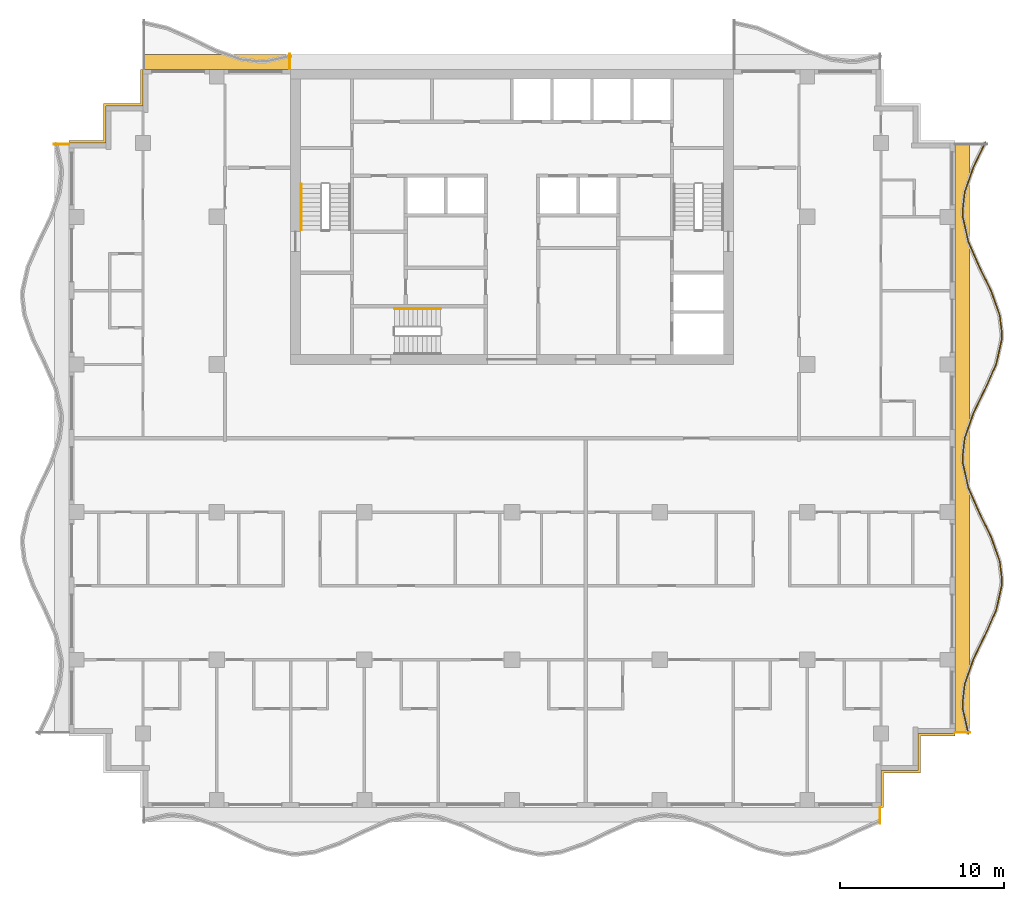
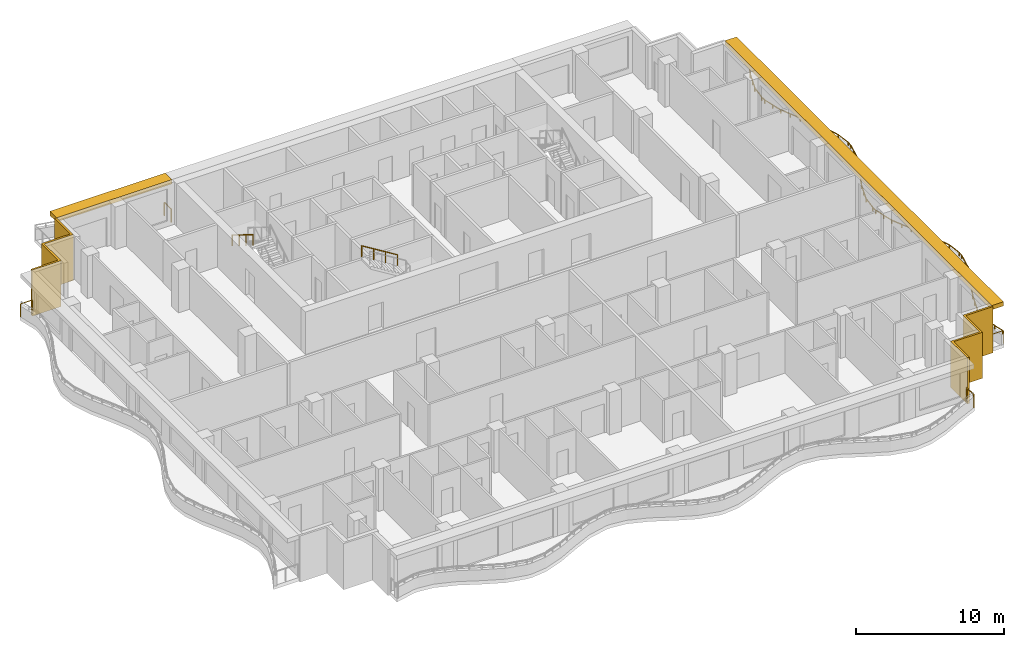
# One storey, part 10 of 11: 7 railings, 4 shading devices.
"""IFC4 building model written with IfcOpenShell, lengths in metres."""

import ifcopenshell
import ifcopenshell.guid

model = None  # the IFC model being written
_history = None  # IfcOwnerHistory: only IFC2X3 demands one
_inside = {}  # id of a spatial element -> (the spatial element, [elements in it])
_under = {}  # id of a project, library or spatial element -> (it, [spatial elements below it])
_declared = {}  # id of a project -> (the project, [libraries it declares])
_typed = {}  # id of a type object -> (the type object, [elements of that type])
_made_of = {}  # id of a material, layer set ... -> (it, [elements and type objects made of it])


def new_model(schema):
    """Start an empty IFC model of exactly this schema.

    Asked for "IFC4X3", IfcOpenShell would pick the latest addendum, in which some entities
    have other attributes; the version numbers below select the first issue.
    IFC2X3 requires an IfcOwnerHistory on every rooted entity: one is made here for all.
    """
    global model, _history
    if schema == "IFC4X3":
        model = ifcopenshell.file(schema_version=(4, 3, 0, 0))
    else:
        model = ifcopenshell.file(schema=schema)
    _inside.clear()
    _under.clear()
    _declared.clear()
    _typed.clear()
    _made_of.clear()
    _history = None
    if model.schema == "IFC2X3":
        org = make("IfcOrganization", Name="unknown")
        user = make(
            "IfcPersonAndOrganization",
            ThePerson=make("IfcPerson", FamilyName="unknown"),
            TheOrganization=org,
        )
        app = make(
            "IfcApplication",
            ApplicationDeveloper=org,
            Version="unknown",
            ApplicationFullName="unknown",
            ApplicationIdentifier="unknown",
        )
        _history = make(
            "IfcOwnerHistory",
            OwningUser=user,
            OwningApplication=app,
            ChangeAction="ADDED",
            CreationDate=0,
        )
    return model


def make(cls, **values):
    """One entity of the class cls with the attributes given. An attribute that is None is left unset."""
    return model.create_entity(
        cls, **{name: value for name, value in values.items() if value is not None}
    )


def rooted(cls, **values):
    """An entity with a GlobalId (a new one), such as an element, a storey or a relation."""
    return make(cls, GlobalId=ifcopenshell.guid.new(), OwnerHistory=_history, **values)


def si_unit(unit_type, name, prefix=None):
    """IfcSIUnit, for example si_unit("LENGTHUNIT", "METRE", prefix="MILLI")."""
    return make("IfcSIUnit", UnitType=unit_type, Prefix=prefix, Name=name)


def assignment(units):
    """IfcUnitAssignment: the units of a project."""
    return None if units is None else make("IfcUnitAssignment", Units=units)


def point(xyz):
    """IfcCartesianPoint."""
    return None if xyz is None else make("IfcCartesianPoint", Coordinates=xyz)


def direction(xyz):
    """IfcDirection."""
    return None if xyz is None else make("IfcDirection", DirectionRatios=xyz)


def frame(location, z_axis=None, x_axis=None):
    """IfcAxis2Placement3D, a coordinate frame: its origin and axes. An axis left out is left unset."""
    return make(
        "IfcAxis2Placement3D",
        Location=point(location),
        Axis=direction(z_axis),
        RefDirection=direction(x_axis),
    )


def frame_2d(location, x_axis=None):
    """IfcAxis2Placement2D, a coordinate frame in the plane: its origin and x axis."""
    return make(
        "IfcAxis2Placement2D", Location=point(location), RefDirection=direction(x_axis)
    )


def origin():
    """The frame at (0, 0, 0) with its axes left unset."""
    return frame((0.0, 0.0, 0.0))


def origin_2d():
    """The frame at (0, 0) in the plane with its x axis left unset."""
    return frame_2d((0.0, 0.0))


def place(relative_to, where):
    """IfcLocalPlacement: puts the frame where relative to a parent placement (None: the world)."""
    return make(
        "IfcLocalPlacement", PlacementRelTo=relative_to, RelativePlacement=where
    )


def context(
    kind, dimensions, precision=None, world=None, true_north=None, identifier=None
):
    """IfcGeometricRepresentationContext, for example the 3D "Model" context."""
    return make(
        "IfcGeometricRepresentationContext",
        ContextIdentifier=identifier,
        ContextType=kind,
        CoordinateSpaceDimension=dimensions,
        Precision=precision,
        WorldCoordinateSystem=world,
        TrueNorth=true_north,
    )


def subcontext(parent, identifier, kind, view, scale=None):
    """IfcGeometricRepresentationSubContext, for example "Body" below "Model"."""
    return make(
        "IfcGeometricRepresentationSubContext",
        ContextIdentifier=identifier,
        ContextType=kind,
        ParentContext=parent,
        TargetScale=scale,
        TargetView=view,
    )


def project(units=None, contexts=None):
    """IfcProject with its units and contexts."""
    return rooted(
        "IfcProject",
        Name="project",
        RepresentationContexts=contexts,
        UnitsInContext=assignment(units),
    )


def spatial(cls, under=None, at=None, **own):
    """A site, building, storey or space (cls), placed at a placement, below another one or the project."""
    s = rooted(cls, ObjectPlacement=at, **own)
    if under is not None:
        _under.setdefault(under.id(), (under, []))[1].append(s)
    return s


def polyline(points):
    """IfcPolyline through the points."""
    return make("IfcPolyline", Points=[point(p) for p in points])


def profile(cls, at=None, kind="AREA", **sizes):
    """A parametric profile (cls). Its sizes go by their IFC names, for example OverallWidth=200.0."""
    return make(cls, ProfileType=kind, Position=at, **sizes)


def rectangle(**sizes):
    """IfcRectangleProfileDef."""
    return profile("IfcRectangleProfileDef", **sizes)


def circle(**sizes):
    """IfcCircleProfileDef."""
    return profile("IfcCircleProfileDef", **sizes)


def outline(outer, holes=None, kind="AREA"):
    """IfcArbitraryClosedProfileDef: a profile drawn as a closed curve; with holes, ...WithVoids."""
    if holes is None:
        return make("IfcArbitraryClosedProfileDef", ProfileType=kind, OuterCurve=outer)
    return make(
        "IfcArbitraryProfileDefWithVoids",
        ProfileType=kind,
        OuterCurve=outer,
        InnerCurves=holes,
    )


def extrude(swept, where, along, depth):
    """IfcExtrudedAreaSolid: the profile swept, set in the frame where, extruded along a direction by depth."""
    return make(
        "IfcExtrudedAreaSolid",
        SweptArea=swept,
        Position=where,
        ExtrudedDirection=direction(along),
        Depth=depth,
    )


def shape(context_of_items, identifier, shape_type, items):
    """IfcShapeRepresentation: the items that make up one representation, for example the "Body"."""
    return make(
        "IfcShapeRepresentation",
        ContextOfItems=context_of_items,
        RepresentationIdentifier=identifier,
        RepresentationType=shape_type,
        Items=items,
    )


def material(Name=None, Category=None):
    """IfcMaterial."""
    return make("IfcMaterial", Name=Name, Category=Category)


def layer(
    of_material, thickness, ventilated=None, Name=None, Category=None, Priority=None
):
    """IfcMaterialLayer: one layer of a wall or slab, of a material (None: an air gap)."""
    return make(
        "IfcMaterialLayer",
        Material=of_material,
        LayerThickness=thickness,
        IsVentilated=ventilated,
        Name=Name,
        Category=Category,
        Priority=Priority,
    )


def layer_set(layers, Name=None):
    """IfcMaterialLayerSet."""
    return make("IfcMaterialLayerSet", MaterialLayers=layers, LayerSetName=Name)


def made_of(thing, what):
    """Note that an element or type object is made of a material, layer set ...; save() writes the relation."""
    if what is not None:
        _made_of.setdefault(what.id(), (what, []))[1].append(thing)
    return thing


def type_object(cls, material=None, **own):
    """A type object (cls), such as IfcWallType, which elements share."""
    return made_of(rooted(cls, **own), material)


def element(
    cls,
    number,
    at=None,
    inside=None,
    cuts=None,
    type_object=None,
    material=None,
    context=None,
    identifier="Body",
    shape_type=None,
    held_by="IfcProductDefinitionShape",
    body=None,
    shapes=None,
    **own,
):
    """One element of the class cls, such as IfcWall. Its Tag is "e" and its number.

    at: its placement. inside: the storey or other place that contains it. cuts: it is an
    opening in that element (IfcRelVoidsElement). A single representation is given by context,
    identifier, shape_type and body (its items); several are given by shapes. held_by: the class
    of the entity that holds the representations. save() writes the other relations.
    """
    e = rooted(cls, Tag="e%d" % number, ObjectPlacement=at, **own)
    if body is not None:
        shapes = [shape(context, identifier, shape_type, body)]
    if shapes is not None:
        e.Representation = make(held_by, Representations=shapes)
    if inside is not None:
        _inside.setdefault(inside.id(), (inside, []))[1].append(e)
    if cuts is not None:
        rooted(
            "IfcRelVoidsElement", RelatingBuildingElement=cuts, RelatedOpeningElement=e
        )
    if type_object is not None:
        _typed.setdefault(type_object.id(), (type_object, []))[1].append(e)
    return made_of(e, material)


def aggregate(whole, parts):
    """IfcRelAggregates: a whole, such as a stair, and the parts it consists of."""
    return rooted("IfcRelAggregates", RelatingObject=whole, RelatedObjects=parts)


def save(model, path):
    """Write the relations noted so far, then the file.

    IfcRelAggregates (storeys below a building ...), IfcRelContainedInSpatialStructure (elements
    in a storey), IfcRelDefinesByType, IfcRelAssociatesMaterial and IfcRelDeclares: one each for
    every whole, place, type object, material and project.
    """
    for whole, parts in _under.values():
        aggregate(whole, parts)
    for where, things in _inside.values():
        rooted(
            "IfcRelContainedInSpatialStructure",
            RelatedElements=things,
            RelatingStructure=where,
        )
    for kind, things in _typed.values():
        rooted("IfcRelDefinesByType", RelatedObjects=things, RelatingType=kind)
    for what, things in _made_of.values():
        rooted("IfcRelAssociatesMaterial", RelatedObjects=things, RelatingMaterial=what)
    for by, libraries in _declared.values():
        rooted("IfcRelDeclares", RelatingContext=by, RelatedDefinitions=libraries)
    model.write(path)


model = new_model("IFC4")

# Units and contexts
model_context = context("Model", 3, precision=1e-05, world=origin(), true_north=direction((0.0, 1.0)))
body_context = subcontext(model_context, "Body", "Model", "MODEL_VIEW")
ifc_project = project(units=[si_unit("LENGTHUNIT", "METRE"), si_unit("AREAUNIT", "SQUARE_METRE"), si_unit("VOLUMEUNIT", "CUBIC_METRE"), si_unit("PLANEANGLEUNIT", "RADIAN"), si_unit("MASSUNIT", "GRAM", prefix="KILO")], contexts=[model_context])

# Site, building, storey
site_placement = place(None, origin())
site = spatial("IfcSite", under=ifc_project, at=site_placement, CompositionType="ELEMENT")
building_placement = place(site_placement, origin())
building = spatial("IfcBuilding", under=site, at=building_placement, Name="Orbiselva Terraces", CompositionType="ELEMENT")
storey_placement = place(building_placement, frame((0.0, 0.0, 261.6)))
storey = spatial("IfcBuildingStorey", under=building, at=storey_placement, Name="L66", CompositionType="ELEMENT", Elevation=261.6)

# Railings
ifc_material_1 = material(Name="Stainless steel", Category="steel")
railing_type_1 = type_object("IfcRailingType", Name="CORE-HANDRAIL-900", PredefinedType="HANDRAIL", material=ifc_material_1)
railing_1_placement = place(storey_placement, frame((-12.85, 15.5, 2.072727)))
element("IfcRailing", 1, at=railing_1_placement, inside=storey, type_object=railing_type_1, Name="L66 S1 stair handrail 2", PredefinedType="HANDRAIL", context=body_context, shape_type="SweptSolid", body=[
    extrude(circle(Radius=0.024, at=origin_2d()), frame((0.0, 0.0, 0.876), z_axis=(0.0, -0.851088519012, 0.52502222125), x_axis=(1.0, 0.0, 0.0)), (0.0, 0.0, 1.0), 3.289905),
    extrude(circle(Radius=0.021, at=origin_2d()), origin(), (0.0, 0.0, 1.0), 0.852),
    extrude(circle(Radius=0.021, at=origin_2d()), frame((0.0, -0.933333, 0.575758)), (0.0, 0.0, 1.0), 0.852),
    extrude(circle(Radius=0.021, at=origin_2d()), frame((0.0, -1.866667, 1.151515)), (0.0, 0.0, 1.0), 0.852),
    extrude(circle(Radius=0.021, at=origin_2d()), frame((0.0, -2.8, 1.727273)), (0.0, 0.0, 1.0), 0.852),
])
railing_2_placement = place(storey_placement, frame((-4.35, 7.9, 2.072727)))
element("IfcRailing", 2, at=railing_2_placement, inside=storey, type_object=railing_type_1, Name="L66 S3 stair handrail 2", PredefinedType="HANDRAIL", context=body_context, shape_type="SweptSolid", body=[
    extrude(circle(Radius=0.024, at=origin_2d()), frame((0.0, 0.0, 0.876), z_axis=(-0.851088519012, 0.0, 0.52502222125), x_axis=(0.0, -1.0, 0.0)), (0.0, 0.0, 1.0), 3.289905),
    extrude(circle(Radius=0.021, at=origin_2d()), origin(), (0.0, 0.0, 1.0), 0.852),
    extrude(circle(Radius=0.021, at=origin_2d()), frame((-0.933333, 0.0, 0.575758)), (0.0, 0.0, 1.0), 0.852),
    extrude(circle(Radius=0.021, at=origin_2d()), frame((-1.866667, 0.0, 1.151515)), (0.0, 0.0, 1.0), 0.852),
    extrude(circle(Radius=0.021, at=origin_2d()), frame((-2.8, 0.0, 1.727273)), (0.0, 0.0, 1.0), 0.852),
])
ifc_material_2 = material(Name="Bonded two-ply safety glass balustrade, stainless steel posts", Category="steel")
railing_type_2 = type_object("IfcRailingType", Name="ENV-BALUSTRADE-1200", PredefinedType="BALUSTRADE", material=ifc_material_2)
railing_3_placement = place(storey_placement, frame((27.829507, -18.027377, 0.9)))
element("IfcRailing", 3, at=railing_3_placement, inside=storey, type_object=railing_type_2, Name="Balcony balustrade L66 E", PredefinedType="BALUSTRADE", context=body_context, shape_type="SweptSolid", body=[
    extrude(outline(polyline([(0.028868, 0.0), (0.014434, 0.025), (-0.014434, 0.025), (-0.028868, 0.0), (-0.014434, -0.025), (0.014434, -0.025), (0.028868, 0.0)])), frame((0.0, 0.0, 0.275), z_axis=(-0.219015484484, 0.97572138316, 0.0), x_axis=(-0.97572138316, -0.219015484484, 0.0)), (0.0, 0.0, 1.0), 1.548694),
    extrude(outline(polyline([(0.028868, 0.0), (0.014434, 0.025), (-0.014434, 0.025), (-0.028868, 0.0), (-0.014434, -0.025), (0.014434, -0.025), (0.028868, 0.0)])), frame((-0.339188, 1.511094, 0.275), z_axis=(-0.03936915532, 0.999224734286, 0.0), x_axis=(-0.999224734286, -0.03936915532, 0.0)), (0.0, 0.0, 1.0), 0.396376),
    extrude(outline(polyline([(0.028868, 0.0), (0.014434, 0.025), (-0.014434, 0.025), (-0.028868, 0.0), (-0.014434, -0.025), (0.014434, -0.025), (0.028868, 0.0)])), frame((-0.354793, 1.907163, 0.275), z_axis=(0.115482182324, 0.993309551734, 0.0), x_axis=(-0.993309551734, 0.115482182324, 0.0)), (0.0, 0.0, 1.0), 1.156135),
    extrude(outline(polyline([(0.028868, 0.0), (0.014434, 0.025), (-0.014434, 0.025), (-0.028868, 0.0), (-0.014434, -0.025), (0.014434, -0.025), (0.028868, 0.0)])), frame((-0.22128, 3.055563, 0.275), z_axis=(0.330024597479, 0.943972332783, 0.0), x_axis=(-0.943972332783, 0.330024597479, 0.0)), (0.0, 0.0, 1.0), 1.610253),
    extrude(outline(polyline([(0.028868, 0.0), (0.014434, 0.025), (-0.014434, 0.025), (-0.028868, 0.0), (-0.014434, -0.025), (0.014434, -0.025), (0.028868, 0.0)])), frame((0.310143, 4.575597, 0.275), z_axis=(0.438812048596, 0.898578870221, 0.0), x_axis=(-0.898578870221, 0.438812048596, 0.0)), (0.0, 0.0, 1.0), 1.674225),
    extrude(outline(polyline([(0.028868, 0.0), (0.014434, 0.025), (-0.014434, 0.025), (-0.028868, 0.0), (-0.014434, -0.025), (0.014434, -0.025), (0.028868, 0.0)])), frame((1.044813, 6.08002, 0.275), z_axis=(0.403151245402, 0.915133363686, 0.0), x_axis=(-0.915133363686, 0.403151245402, 0.0)), (0.0, 0.0, 1.0), 1.624475),
    extrude(outline(polyline([(0.028868, 0.0), (0.014434, 0.025), (-0.014434, 0.025), (-0.028868, 0.0), (-0.014434, -0.025), (0.014434, -0.025), (0.028868, 0.0)])), frame((1.699722, 7.566631, 0.275), z_axis=(0.219015740235, 0.975721325753, 0.0), x_axis=(-0.975721325753, 0.219015740235, 0.0)), (0.0, 0.0, 1.0), 1.513782),
    extrude(outline(polyline([(0.028868, 0.0), (0.014434, 0.025), (-0.014434, 0.025), (-0.028868, 0.0), (-0.014434, -0.025), (0.014434, -0.025), (0.028868, 0.0)])), frame((2.031264, 9.04366, 0.275), z_axis=(0.039364150694, 0.999224931454, 0.0), x_axis=(-0.999224931454, 0.039364150694, 0.0)), (0.0, 0.0, 1.0), 0.354206),
    extrude(outline(polyline([(0.028868, 0.0), (0.014434, 0.025), (-0.014434, 0.025), (-0.028868, 0.0), (-0.014434, -0.025), (0.014434, -0.025), (0.028868, 0.0)])), frame((2.045207, 9.397591, 0.275), z_axis=(-0.115481264762, 0.993309658409, 0.0), x_axis=(-0.993309658409, -0.115481264762, 0.0)), (0.0, 0.0, 1.0), 1.10902),
    extrude(outline(polyline([(0.028868, 0.0), (0.014434, 0.025), (-0.014434, 0.025), (-0.028868, 0.0), (-0.014434, -0.025), (0.014434, -0.025), (0.028868, 0.0)])), frame((1.917136, 10.499191, 0.275), z_axis=(-0.330024754707, 0.943972277814, 0.0), x_axis=(-0.943972277814, -0.330024754707, 0.0)), (0.0, 0.0, 1.0), 1.567807),
    extrude(outline(polyline([(0.028868, 0.0), (0.014434, 0.025), (-0.014434, 0.025), (-0.028868, 0.0), (-0.014434, -0.025), (0.014434, -0.025), (0.028868, 0.0)])), frame((1.399721, 11.979157, 0.275), z_axis=(-0.438811978768, 0.89857890432, 0.0), x_axis=(-0.89857890432, -0.438811978768, 0.0)), (0.0, 0.0, 1.0), 1.66438),
    extrude(outline(polyline([(0.028868, 0.0), (0.014434, 0.025), (-0.014434, 0.025), (-0.028868, 0.0), (-0.014434, -0.025), (0.014434, -0.025), (0.028868, 0.0)])), frame((0.669371, 13.474734, 0.275), z_axis=(-0.403150874148, 0.915133527237, 0.0), x_axis=(-0.915133527237, -0.403150874148, 0.0)), (0.0, 0.0, 1.0), 1.653736),
    extrude(outline(polyline([(0.028868, 0.0), (0.014434, 0.025), (-0.014434, 0.025), (-0.028868, 0.0), (-0.014434, -0.025), (0.014434, -0.025), (0.028868, 0.0)])), frame((0.002666, 14.988123, 0.275), z_axis=(-0.219015500924, 0.97572137947, 0.0), x_axis=(-0.97572137947, -0.219015500924, 0.0)), (0.0, 0.0, 1.0), 1.560867),
    extrude(outline(polyline([(0.028868, 0.0), (0.014434, 0.025), (-0.014434, 0.025), (-0.028868, 0.0), (-0.014434, -0.025), (0.014434, -0.025), (0.028868, 0.0)])), frame((-0.339188, 16.511094, 0.275), z_axis=(-0.03936915532, 0.999224734286, 0.0), x_axis=(-0.999224734286, -0.03936915532, 0.0)), (0.0, 0.0, 1.0), 0.396376),
    extrude(outline(polyline([(0.028868, 0.0), (0.014434, 0.025), (-0.014434, 0.025), (-0.028868, 0.0), (-0.014434, -0.025), (0.014434, -0.025), (0.028868, 0.0)])), frame((-0.354793, 16.907163, 0.275), z_axis=(0.115482182324, 0.993309551734, 0.0), x_axis=(-0.993309551734, 0.115482182324, 0.0)), (0.0, 0.0, 1.0), 1.156135),
    extrude(outline(polyline([(0.028868, 0.0), (0.014434, 0.025), (-0.014434, 0.025), (-0.028868, 0.0), (-0.014434, -0.025), (0.014434, -0.025), (0.028868, 0.0)])), frame((-0.22128, 18.055563, 0.275), z_axis=(0.330024597479, 0.943972332783, 0.0), x_axis=(-0.943972332783, 0.330024597479, 0.0)), (0.0, 0.0, 1.0), 1.610253),
    extrude(outline(polyline([(0.028868, 0.0), (0.014434, 0.025), (-0.014434, 0.025), (-0.028868, 0.0), (-0.014434, -0.025), (0.014434, -0.025), (0.028868, 0.0)])), frame((0.310143, 19.575597, 0.275), z_axis=(0.438812048596, 0.898578870221, 0.0), x_axis=(-0.898578870221, 0.438812048596, 0.0)), (0.0, 0.0, 1.0), 1.674225),
    extrude(outline(polyline([(0.028868, 0.0), (0.014434, 0.025), (-0.014434, 0.025), (-0.028868, 0.0), (-0.014434, -0.025), (0.014434, -0.025), (0.028868, 0.0)])), frame((1.044813, 21.08002, 0.275), z_axis=(0.403151245402, 0.915133363686, 0.0), x_axis=(-0.915133363686, 0.403151245402, 0.0)), (0.0, 0.0, 1.0), 1.624475),
    extrude(outline(polyline([(0.028868, 0.0), (0.014434, 0.025), (-0.014434, 0.025), (-0.028868, 0.0), (-0.014434, -0.025), (0.014434, -0.025), (0.028868, 0.0)])), frame((1.699722, 22.566631, 0.275), z_axis=(0.219015740235, 0.975721325753, 0.0), x_axis=(-0.975721325753, 0.219015740235, 0.0)), (0.0, 0.0, 1.0), 1.513782),
    extrude(outline(polyline([(0.028868, 0.0), (0.014434, 0.025), (-0.014434, 0.025), (-0.028868, 0.0), (-0.014434, -0.025), (0.014434, -0.025), (0.028868, 0.0)])), frame((2.031264, 24.04366, 0.275), z_axis=(0.039364150694, 0.999224931454, 0.0), x_axis=(-0.999224931454, 0.039364150694, 0.0)), (0.0, 0.0, 1.0), 0.354206),
    extrude(outline(polyline([(0.028868, 0.0), (0.014434, 0.025), (-0.014434, 0.025), (-0.028868, 0.0), (-0.014434, -0.025), (0.014434, -0.025), (0.028868, 0.0)])), frame((2.045207, 24.397591, 0.275), z_axis=(-0.115481264762, 0.993309658409, 0.0), x_axis=(-0.993309658409, -0.115481264762, 0.0)), (0.0, 0.0, 1.0), 1.10902),
    extrude(outline(polyline([(0.028868, 0.0), (0.014434, 0.025), (-0.014434, 0.025), (-0.028868, 0.0), (-0.014434, -0.025), (0.014434, -0.025), (0.028868, 0.0)])), frame((1.917136, 25.499191, 0.275), z_axis=(-0.330024754707, 0.943972277814, 0.0), x_axis=(-0.943972277814, -0.330024754707, 0.0)), (0.0, 0.0, 1.0), 1.567807),
    extrude(outline(polyline([(0.028868, 0.0), (0.014434, 0.025), (-0.014434, 0.025), (-0.028868, 0.0), (-0.014434, -0.025), (0.014434, -0.025), (0.028868, 0.0)])), frame((1.399721, 26.979157, 0.275), z_axis=(-0.438811978768, 0.89857890432, 0.0), x_axis=(-0.89857890432, -0.438811978768, 0.0)), (0.0, 0.0, 1.0), 1.66438),
    extrude(outline(polyline([(0.028868, 0.0), (0.014434, 0.025), (-0.014434, 0.025), (-0.028868, 0.0), (-0.014434, -0.025), (0.014434, -0.025), (0.028868, 0.0)])), frame((0.669371, 28.474734, 0.275), z_axis=(-0.403150874148, 0.915133527237, 0.0), x_axis=(-0.915133527237, -0.403150874148, 0.0)), (0.0, 0.0, 1.0), 1.653736),
    extrude(outline(polyline([(0.028868, 0.0), (0.014434, 0.025), (-0.014434, 0.025), (-0.028868, 0.0), (-0.014434, -0.025), (0.014434, -0.025), (0.028868, 0.0)])), frame((0.002666, 29.988123, 0.275), z_axis=(-0.219015500924, 0.97572137947, 0.0), x_axis=(-0.97572137947, -0.219015500924, 0.0)), (0.0, 0.0, 1.0), 1.560867),
    extrude(outline(polyline([(0.028868, 0.0), (0.014434, 0.025), (-0.014434, 0.025), (-0.028868, 0.0), (-0.014434, -0.025), (0.014434, -0.025), (0.028868, 0.0)])), frame((-0.339188, 31.511094, 0.275), z_axis=(-0.03936915532, 0.999224734286, 0.0), x_axis=(-0.999224734286, -0.03936915532, 0.0)), (0.0, 0.0, 1.0), 0.396376),
    extrude(outline(polyline([(0.028868, 0.0), (0.014434, 0.025), (-0.014434, 0.025), (-0.028868, 0.0), (-0.014434, -0.025), (0.014434, -0.025), (0.028868, 0.0)])), frame((-0.354793, 31.907163, 0.275), z_axis=(0.115482182324, 0.993309551734, 0.0), x_axis=(-0.993309551734, 0.115482182324, 0.0)), (0.0, 0.0, 1.0), 1.156135),
    extrude(outline(polyline([(0.028868, 0.0), (0.014434, 0.025), (-0.014434, 0.025), (-0.028868, 0.0), (-0.014434, -0.025), (0.014434, -0.025), (0.028868, 0.0)])), frame((-0.22128, 33.055563, 0.275), z_axis=(0.330024597479, 0.943972332783, 0.0), x_axis=(-0.943972332783, 0.330024597479, 0.0)), (0.0, 0.0, 1.0), 1.610253),
    extrude(outline(polyline([(0.028868, 0.0), (0.014434, 0.025), (-0.014434, 0.025), (-0.028868, 0.0), (-0.014434, -0.025), (0.014434, -0.025), (0.028868, 0.0)])), frame((0.310143, 34.575597, 0.275), z_axis=(0.43881217228, 0.898578809821, 0.0), x_axis=(-0.898578809821, 0.43881217228, 0.0)), (0.0, 0.0, 1.0), 1.676683),
    extrude(rectangle(XDim=0.05, YDim=0.05, at=origin_2d()), origin(), (0.0, 0.0, 1.0), 0.25),
    extrude(rectangle(XDim=0.05, YDim=0.05, at=origin_2d()), frame((-0.169594, 0.755547, 0.0)), (0.0, 0.0, 1.0), 0.25),
    extrude(rectangle(XDim=0.05, YDim=0.05, at=origin_2d()), frame((-0.339188, 1.511094, 0.0)), (0.0, 0.0, 1.0), 0.25),
    extrude(rectangle(XDim=0.05, YDim=0.05, at=origin_2d()), frame((-0.354793, 1.907163, 0.0)), (0.0, 0.0, 1.0), 0.25),
    extrude(rectangle(XDim=0.05, YDim=0.05, at=origin_2d()), frame((-0.22128, 3.055563, 0.0)), (0.0, 0.0, 1.0), 0.25),
    extrude(rectangle(XDim=0.05, YDim=0.05, at=origin_2d()), frame((0.044431, 3.81558, 0.0)), (0.0, 0.0, 1.0), 0.25),
    extrude(rectangle(XDim=0.05, YDim=0.05, at=origin_2d()), frame((0.310143, 4.575597, 0.0)), (0.0, 0.0, 1.0), 0.25),
    extrude(rectangle(XDim=0.05, YDim=0.05, at=origin_2d()), frame((0.677478, 5.327809, 0.0)), (0.0, 0.0, 1.0), 0.25),
    extrude(rectangle(XDim=0.05, YDim=0.05, at=origin_2d()), frame((1.044813, 6.08002, 0.0)), (0.0, 0.0, 1.0), 0.25),
    extrude(rectangle(XDim=0.05, YDim=0.05, at=origin_2d()), frame((1.372268, 6.823326, 0.0)), (0.0, 0.0, 1.0), 0.25),
    extrude(rectangle(XDim=0.05, YDim=0.05, at=origin_2d()), frame((1.699722, 7.566631, 0.0)), (0.0, 0.0, 1.0), 0.25),
    extrude(rectangle(XDim=0.05, YDim=0.05, at=origin_2d()), frame((1.865493, 8.305146, 0.0)), (0.0, 0.0, 1.0), 0.25),
    extrude(rectangle(XDim=0.05, YDim=0.05, at=origin_2d()), frame((2.031264, 9.04366, 0.0)), (0.0, 0.0, 1.0), 0.25),
    extrude(rectangle(XDim=0.05, YDim=0.05, at=origin_2d()), frame((2.045207, 9.397591, 0.0)), (0.0, 0.0, 1.0), 0.25),
    extrude(rectangle(XDim=0.05, YDim=0.05, at=origin_2d()), frame((1.917136, 10.499191, 0.0)), (0.0, 0.0, 1.0), 0.25),
    extrude(rectangle(XDim=0.05, YDim=0.05, at=origin_2d()), frame((1.658428, 11.239174, 0.0)), (0.0, 0.0, 1.0), 0.25),
    extrude(rectangle(XDim=0.05, YDim=0.05, at=origin_2d()), frame((1.399721, 11.979157, 0.0)), (0.0, 0.0, 1.0), 0.25),
    extrude(rectangle(XDim=0.05, YDim=0.05, at=origin_2d()), frame((1.034546, 12.726946, 0.0)), (0.0, 0.0, 1.0), 0.25),
    extrude(rectangle(XDim=0.05, YDim=0.05, at=origin_2d()), frame((0.669371, 13.474734, 0.0)), (0.0, 0.0, 1.0), 0.25),
    extrude(rectangle(XDim=0.05, YDim=0.05, at=origin_2d()), frame((0.336019, 14.231429, 0.0)), (0.0, 0.0, 1.0), 0.25),
    extrude(rectangle(XDim=0.05, YDim=0.05, at=origin_2d()), frame((0.002666, 14.988123, 0.0)), (0.0, 0.0, 1.0), 0.25),
    extrude(rectangle(XDim=0.05, YDim=0.05, at=origin_2d()), frame((-0.168261, 15.749608, 0.0)), (0.0, 0.0, 1.0), 0.25),
    extrude(rectangle(XDim=0.05, YDim=0.05, at=origin_2d()), frame((-0.339188, 16.511094, 0.0)), (0.0, 0.0, 1.0), 0.25),
    extrude(rectangle(XDim=0.05, YDim=0.05, at=origin_2d()), frame((-0.354793, 16.907163, 0.0)), (0.0, 0.0, 1.0), 0.25),
    extrude(rectangle(XDim=0.05, YDim=0.05, at=origin_2d()), frame((-0.22128, 18.055563, 0.0)), (0.0, 0.0, 1.0), 0.25),
    extrude(rectangle(XDim=0.05, YDim=0.05, at=origin_2d()), frame((0.044431, 18.81558, 0.0)), (0.0, 0.0, 1.0), 0.25),
    extrude(rectangle(XDim=0.05, YDim=0.05, at=origin_2d()), frame((0.310143, 19.575597, 0.0)), (0.0, 0.0, 1.0), 0.25),
    extrude(rectangle(XDim=0.05, YDim=0.05, at=origin_2d()), frame((0.677478, 20.327809, 0.0)), (0.0, 0.0, 1.0), 0.25),
    extrude(rectangle(XDim=0.05, YDim=0.05, at=origin_2d()), frame((1.044813, 21.08002, 0.0)), (0.0, 0.0, 1.0), 0.25),
    extrude(rectangle(XDim=0.05, YDim=0.05, at=origin_2d()), frame((1.372268, 21.823326, 0.0)), (0.0, 0.0, 1.0), 0.25),
    extrude(rectangle(XDim=0.05, YDim=0.05, at=origin_2d()), frame((1.699722, 22.566631, 0.0)), (0.0, 0.0, 1.0), 0.25),
    extrude(rectangle(XDim=0.05, YDim=0.05, at=origin_2d()), frame((1.865493, 23.305146, 0.0)), (0.0, 0.0, 1.0), 0.25),
    extrude(rectangle(XDim=0.05, YDim=0.05, at=origin_2d()), frame((2.031264, 24.04366, 0.0)), (0.0, 0.0, 1.0), 0.25),
    extrude(rectangle(XDim=0.05, YDim=0.05, at=origin_2d()), frame((2.045207, 24.397591, 0.0)), (0.0, 0.0, 1.0), 0.25),
    extrude(rectangle(XDim=0.05, YDim=0.05, at=origin_2d()), frame((1.917136, 25.499191, 0.0)), (0.0, 0.0, 1.0), 0.25),
    extrude(rectangle(XDim=0.05, YDim=0.05, at=origin_2d()), frame((1.658428, 26.239174, 0.0)), (0.0, 0.0, 1.0), 0.25),
    extrude(rectangle(XDim=0.05, YDim=0.05, at=origin_2d()), frame((1.399721, 26.979157, 0.0)), (0.0, 0.0, 1.0), 0.25),
    extrude(rectangle(XDim=0.05, YDim=0.05, at=origin_2d()), frame((1.034546, 27.726946, 0.0)), (0.0, 0.0, 1.0), 0.25),
    extrude(rectangle(XDim=0.05, YDim=0.05, at=origin_2d()), frame((0.669371, 28.474734, 0.0)), (0.0, 0.0, 1.0), 0.25),
    extrude(rectangle(XDim=0.05, YDim=0.05, at=origin_2d()), frame((0.336019, 29.231428, 0.0)), (0.0, 0.0, 1.0), 0.25),
    extrude(rectangle(XDim=0.05, YDim=0.05, at=origin_2d()), frame((0.002666, 29.988123, 0.0)), (0.0, 0.0, 1.0), 0.25),
    extrude(rectangle(XDim=0.05, YDim=0.05, at=origin_2d()), frame((-0.168261, 30.749608, 0.0)), (0.0, 0.0, 1.0), 0.25),
    extrude(rectangle(XDim=0.05, YDim=0.05, at=origin_2d()), frame((-0.339188, 31.511094, 0.0)), (0.0, 0.0, 1.0), 0.25),
    extrude(rectangle(XDim=0.05, YDim=0.05, at=origin_2d()), frame((-0.354793, 31.907163, 0.0)), (0.0, 0.0, 1.0), 0.25),
    extrude(rectangle(XDim=0.05, YDim=0.05, at=origin_2d()), frame((-0.22128, 33.055563, 0.0)), (0.0, 0.0, 1.0), 0.25),
    extrude(rectangle(XDim=0.05, YDim=0.05, at=origin_2d()), frame((0.044431, 33.81558, 0.0)), (0.0, 0.0, 1.0), 0.25),
    extrude(rectangle(XDim=0.05, YDim=0.05, at=origin_2d()), frame((0.310143, 34.575597, 0.0)), (0.0, 0.0, 1.0), 0.25),
    extrude(rectangle(XDim=0.05, YDim=0.05, at=origin_2d()), frame((0.678018, 35.328913, 0.0)), (0.0, 0.0, 1.0), 0.25),
    extrude(rectangle(XDim=0.05, YDim=0.05, at=origin_2d()), frame((1.045892, 36.082229, 0.0)), (0.0, 0.0, 1.0), 0.25),
])
ifc_material_3 = material(Name="Stainless steel rail and posts", Category="steel")
railing_type_3 = type_object("IfcRailingType", Name="ENV-GUARD-1105", PredefinedType="BALUSTRADE", material=ifc_material_3)
railing_4_placement = place(storey_placement, frame((22.44, -23.473063, 0.0)))
element("IfcRailing", 4, at=railing_4_placement, inside=storey, type_object=railing_type_3, Name="Balcony end guard L66 S", PredefinedType="BALUSTRADE", context=body_context, shape_type="SweptSolid", body=[
    extrude(outline(polyline([(0.028868, 0.0), (0.014434, 0.025), (-0.014434, 0.025), (-0.028868, 0.0), (-0.014434, -0.025), (0.014434, -0.025), (0.028868, 0.0)])), frame((0.0, 0.0, 1.08), z_axis=(0.0, 1.0, 0.0), x_axis=(-1.0, 0.0, 0.0)), (0.0, 0.0, 1.0), 0.948063),
    extrude(rectangle(XDim=0.05, YDim=0.05, at=origin_2d()), origin(), (0.0, 0.0, 1.0), 1.055),
    extrude(rectangle(XDim=0.05, YDim=0.05, at=origin_2d()), frame((0.0, 0.948063, 0.0)), (0.0, 0.0, 1.0), 1.055),
])
railing_5_placement = place(storey_placement, frame((27.930416, -17.94, 0.0)))
element("IfcRailing", 5, at=railing_5_placement, inside=storey, type_object=railing_type_3, Name="Balcony end guard L66 E", PredefinedType="BALUSTRADE", context=body_context, shape_type="SweptSolid", body=[
    extrude(outline(polyline([(0.028868, 0.0), (0.014434, 0.025), (-0.014434, 0.025), (-0.028868, 0.0), (-0.014434, -0.025), (0.014434, -0.025), (0.028868, 0.0)])), frame((0.0, 0.0, 1.08), z_axis=(-1.0, 0.0, 0.0), x_axis=(0.0, -1.0, 0.0)), (0.0, 0.0, 1.0), 0.905416),
    extrude(rectangle(XDim=0.05, YDim=0.05, at=origin_2d()), origin(), (0.0, 0.0, 1.0), 1.055),
    extrude(rectangle(XDim=0.05, YDim=0.05, at=origin_2d()), frame((-0.905416, 0.0, 0.0)), (0.0, 0.0, 1.0), 1.055),
])
railing_6_placement = place(storey_placement, frame((-13.56, 23.430416, 0.0)))
element("IfcRailing", 6, at=railing_6_placement, inside=storey, type_object=railing_type_3, Name="Balcony end guard L66 NW", PredefinedType="BALUSTRADE", context=body_context, shape_type="SweptSolid", body=[
    extrude(outline(polyline([(0.028868, 0.0), (0.014434, 0.025), (-0.014434, 0.025), (-0.028868, 0.0), (-0.014434, -0.025), (0.014434, -0.025), (0.028868, 0.0)])), frame((0.0, 0.0, 1.08), z_axis=(0.0, -1.0, 0.0), x_axis=(1.0, 0.0, 0.0)), (0.0, 0.0, 1.0), 0.905416),
    extrude(rectangle(XDim=0.05, YDim=0.05, at=origin_2d()), origin(), (0.0, 0.0, 1.0), 1.055),
    extrude(rectangle(XDim=0.05, YDim=0.05, at=origin_2d()), frame((0.0, -0.905416, 0.0)), (0.0, 0.0, 1.0), 1.055),
])
railing_7_placement = place(storey_placement, frame((-27.930416, 17.94, 0.0)))
element("IfcRailing", 7, at=railing_7_placement, inside=storey, type_object=railing_type_3, Name="Balcony end guard L66 W", PredefinedType="BALUSTRADE", context=body_context, shape_type="SweptSolid", body=[
    extrude(outline(polyline([(0.028868, 0.0), (0.014434, 0.025), (-0.014434, 0.025), (-0.028868, 0.0), (-0.014434, -0.025), (0.014434, -0.025), (0.028868, 0.0)])), frame((0.0, 0.0, 1.08), z_axis=(1.0, 0.0, 0.0), x_axis=(0.0, 1.0, 0.0)), (0.0, 0.0, 1.0), 0.905416),
    extrude(rectangle(XDim=0.05, YDim=0.05, at=origin_2d()), origin(), (0.0, 0.0, 1.0), 1.055),
    extrude(rectangle(XDim=0.05, YDim=0.05, at=origin_2d()), frame((0.905416, 0.0, 0.0)), (0.0, 0.0, 1.0), 1.055),
])

# Shading devices
ifc_material_4 = material(Name="Terracotta louvre screen", Category="masonry")
ifc_layer_1 = layer(ifc_material_4, 0.15)
ifc_layer_set_1 = layer_set([ifc_layer_1], Name="Terracotta louvre screen")
shading_device_type_1 = type_object("IfcShadingDeviceType", Name="ENV-SCREEN-150", PredefinedType="USERDEFINED", material=ifc_layer_set_1)
shading_device_1_placement = place(storey_placement, frame((0.0, 0.0, -0.3)))
element("IfcShadingDevice", 8, at=shading_device_1_placement, inside=storey, type_object=shading_device_type_1, Name="Louvre screen L66 NW", ObjectType="SCREEN", PredefinedType="USERDEFINED", context=body_context, shape_type="SweptSolid", body=[
    extrude(outline(polyline([(-22.65, 22.5), (-22.65, 20.4), (-24.9, 20.4), (-24.9, 18.15), (-27.0, 18.15), (-27.0, 18.0), (-24.75, 18.0), (-24.75, 20.25), (-22.5, 20.25), (-22.5, 22.5), (-22.65, 22.5)])), origin(), (0.0, 0.0, 1.0), 3.8),
])
shading_device_2_placement = place(storey_placement, frame((0.0, 0.0, -0.3)))
element("IfcShadingDevice", 9, at=shading_device_2_placement, inside=storey, type_object=shading_device_type_1, Name="Louvre screen L66 SE", ObjectType="SCREEN", PredefinedType="USERDEFINED", context=body_context, shape_type="SweptSolid", body=[
    extrude(outline(polyline([(22.65, -22.5), (22.65, -20.4), (24.9, -20.4), (24.9, -18.15), (27.0, -18.15), (27.0, -18.0), (24.75, -18.0), (24.75, -20.25), (22.5, -20.25), (22.5, -22.5), (22.65, -22.5)])), origin(), (0.0, 0.0, 1.0), 3.8),
])
ifc_material_5 = material(Name="Terracotta baguette sunshade", Category="masonry")
ifc_layer_2 = layer(ifc_material_5, 0.35)
ifc_layer_set_2 = layer_set([ifc_layer_2], Name="Terracotta baguette sunshade")
shading_device_type_2 = type_object("IfcShadingDeviceType", Name="ENV-SUNSHADE-900x350", PredefinedType="USERDEFINED", material=ifc_layer_set_2)
shading_device_3_placement = place(storey_placement, frame((0.0, 0.0, 3.15)))
element("IfcShadingDevice", 10, at=shading_device_3_placement, inside=storey, type_object=shading_device_type_2, Name="Sunshade band L66 E", ObjectType="SUNSHADE", PredefinedType="USERDEFINED", context=body_context, shape_type="SweptSolid", body=[
    extrude(outline(polyline([(27.9, -18.0), (27.9, 18.0), (27.0, 18.0), (27.0, -18.0), (27.9, -18.0)])), origin(), (0.0, 0.0, 1.0), 0.35),
])
shading_device_4_placement = place(storey_placement, frame((0.0, 0.0, 3.15)))
element("IfcShadingDevice", 11, at=shading_device_4_placement, inside=storey, type_object=shading_device_type_2, Name="Sunshade band L66 NW", ObjectType="SUNSHADE", PredefinedType="USERDEFINED", context=body_context, shape_type="SweptSolid", body=[
    extrude(outline(polyline([(-13.5, 23.4), (-22.5, 23.4), (-22.5, 22.5), (-13.5, 22.5), (-13.5, 23.4)])), origin(), (0.0, 0.0, 1.0), 0.35),
])

save(model, "model.ifc")
